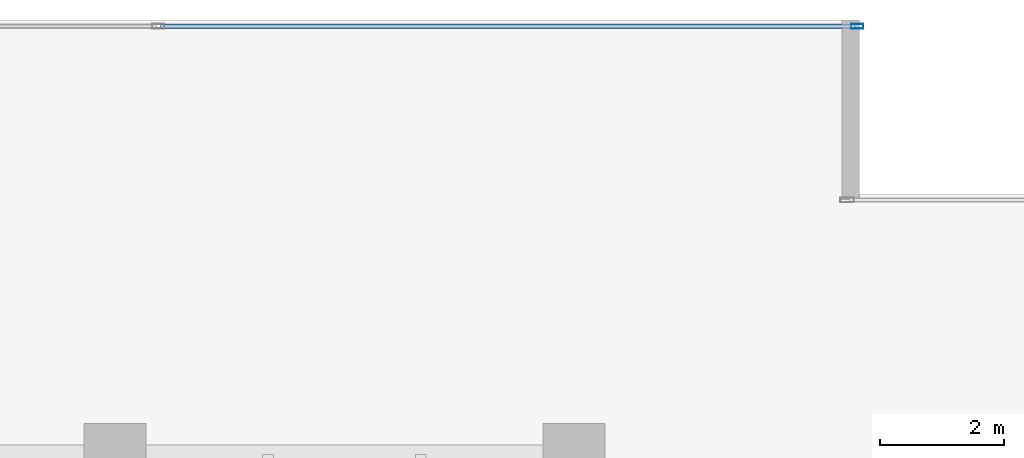
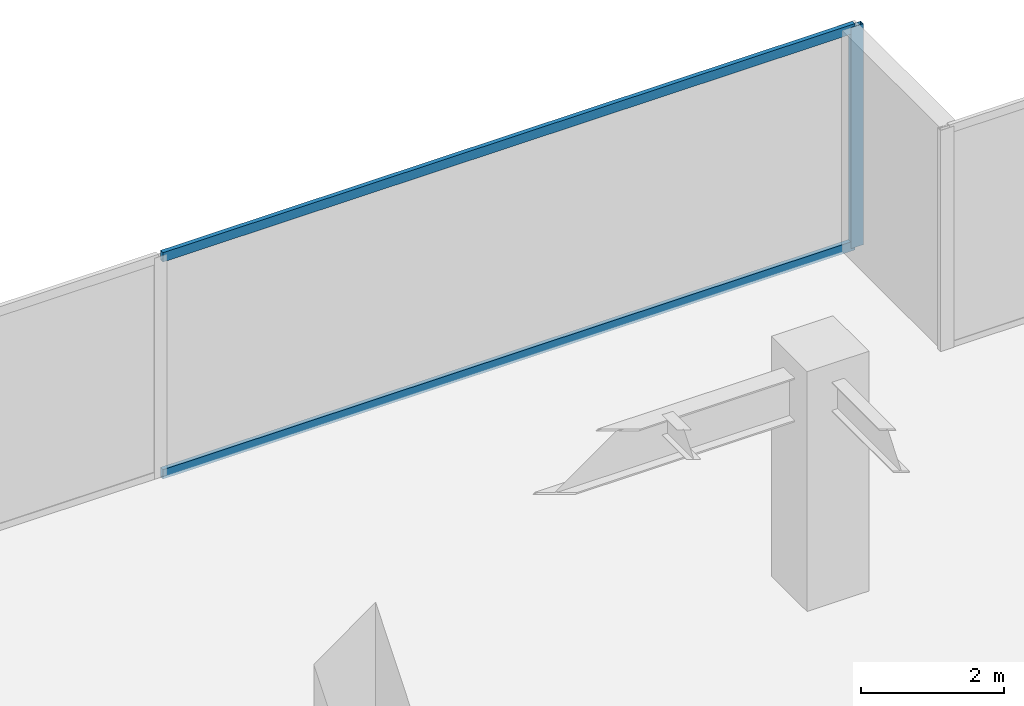
# One storey, part 27 of 35: 3 members, 1 element without a shape of its own.
"""IFC4 building model written with IfcOpenShell, lengths in metres."""

from ifc_helpers import new_model, si_unit, direction, frame, origin, origin_2d, place, context, subcontext, project, spatial, hollow_rectangle, extrude, source, transform, mapped, material, layer, layer_set, material_profile, profile_set, type_object, type_shapes, element, aggregate, save


model = new_model("IFC4")

# Units and contexts
model_context = context("Model", 3, precision=1e-05, world=origin(), true_north=direction((0.0, 1.0)))
body_context = subcontext(model_context, "Body", "Model", "MODEL_VIEW")
ifc_project = project(units=[si_unit("LENGTHUNIT", "METRE"), si_unit("AREAUNIT", "SQUARE_METRE"), si_unit("VOLUMEUNIT", "CUBIC_METRE"), si_unit("PLANEANGLEUNIT", "RADIAN"), si_unit("MASSUNIT", "GRAM", prefix="KILO")], contexts=[model_context])

# Site, building, storey
site_placement = place(None, origin())
site = spatial("IfcSite", under=ifc_project, at=site_placement, CompositionType="ELEMENT")
building_placement = place(site_placement, origin())
building = spatial("IfcBuilding", under=site, at=building_placement, Name="Haelvirn Gate Laboratories", CompositionType="ELEMENT")
storey_placement = place(building_placement, frame((0.0, 0.0, 45.699951171875)))
storey = spatial("IfcBuildingStorey", under=building, at=storey_placement, Name="L11", CompositionType="ELEMENT", Elevation=45.699951171875)

# Curtain wall, members
ifc_material_1 = material(Name="Anodised bronze unitised aluminium & triple low-E glass", Category="aluminium")
ifc_layer = layer(ifc_material_1, 0.18408203125, Name="CW-SYS-2")
ifc_layer_set = layer_set([ifc_layer], Name="Anodised bronze unitised aluminium & triple low-E glass")
curtain_wall_type = type_object("IfcCurtainWallType", Name="CW-SYS-2", PredefinedType="NOTDEFINED", material=ifc_layer_set)
curtain_wall_placement = place(storey_placement, origin())
curtain_wall = element("IfcCurtainWall", 1, at=curtain_wall_placement, inside=storey, type_object=curtain_wall_type, Name="L11 Unitised Curtain Wall CW-L11-P0-E10-1", PredefinedType="NOTDEFINED")
ifc_material_2 = material(Name="Extruded aluminium 6063-T6 (anodised bronze)", Category="aluminium")
ifc_material_profile_1 = material_profile(ifc_material_2, hollow_rectangle(XDim=0.074951171875, YDim=0.199951171875, WallThickness=0.0048828125, at=origin_2d()), Name="CWM-200x75x5")
ifc_profile_set_1 = profile_set([ifc_material_profile_1], Name="Extruded aluminium 6063-T6 (anodised bronze)")
member_type_1 = type_object("IfcMemberType", Name="CWM-T200", PredefinedType="MULLION", material=ifc_profile_set_1)
shared_shape_1 = source(origin(), body_context, "Body", "SweptSolid", [
    extrude(hollow_rectangle(XDim=0.074951171875, YDim=0.199951171875, WallThickness=0.0048828125, at=origin_2d()), origin(), (0.0, 0.0, 1.0), 3.780029296875),
])
type_shapes(member_type_1, [shared_shape_1])
member_1_placement = place(storey_placement, frame((71.96240234375, 48.5, 0.0), z_axis=(0.0, 0.0, 1.0), x_axis=(0.0, 1.0, 0.0)))
member_1 = element("IfcMember", 2, at=member_1_placement, type_object=member_type_1, Name="CW2 mullion 3", PredefinedType="MULLION", context=body_context, shape_type="MappedRepresentation", body=[
    mapped(shared_shape_1, transform((0.0, 0.0, 0.0), scale=1.0)),
])
ifc_material_profile_2 = material_profile(ifc_material_2, hollow_rectangle(XDim=0.070068359375, YDim=0.159912109375, WallThickness=0.0048828125, at=origin_2d()), Name="CWT-160x70x5")
ifc_profile_set_2 = profile_set([ifc_material_profile_2], Name="Extruded aluminium 6063-T6 (anodised bronze)")
member_type_2 = type_object("IfcMemberType", Name="CWT-T160", PredefinedType="USERDEFINED", material=ifc_profile_set_2)
shared_shape_2 = source(origin(), body_context, "Body", "SweptSolid", [
    extrude(hollow_rectangle(XDim=0.070068359375, YDim=0.159912109375, WallThickness=0.0048828125, at=origin_2d()), origin(), (0.0, 0.0, 1.0), 11.1875),
])
type_shapes(member_type_2, [shared_shape_2])
member_2_placement = place(storey_placement, frame((60.737548828125, 48.5, 0.03515625), z_axis=(1.0, 0.0, 0.0), x_axis=(0.0, 1.0, 0.0)))
member_2 = element("IfcMember", 3, at=member_2_placement, type_object=member_type_2, Name="CW2 transom 2.1", ObjectType="TRANSOM", PredefinedType="USERDEFINED", context=body_context, shape_type="MappedRepresentation", body=[
    mapped(shared_shape_2, transform((0.0, 0.0, 0.0), scale=1.0)),
])
member_3_placement = place(storey_placement, frame((60.737548828125, 48.5, 3.7451171875), z_axis=(1.0, 0.0, 0.0), x_axis=(0.0, 1.0, 0.0)))
member_3 = element("IfcMember", 4, at=member_3_placement, type_object=member_type_2, Name="CW2 transom 2.2", ObjectType="TRANSOM", PredefinedType="USERDEFINED", context=body_context, shape_type="MappedRepresentation", body=[
    mapped(shared_shape_2, transform((0.0, 0.0, 0.0), scale=1.0)),
])
aggregate(curtain_wall, [member_1, member_2, member_3])

save(model, "model.ifc")
